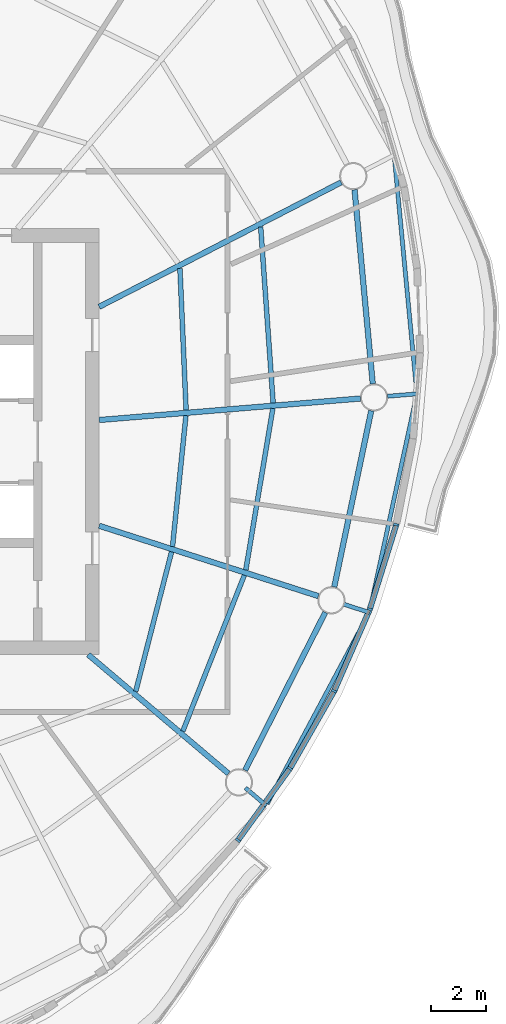
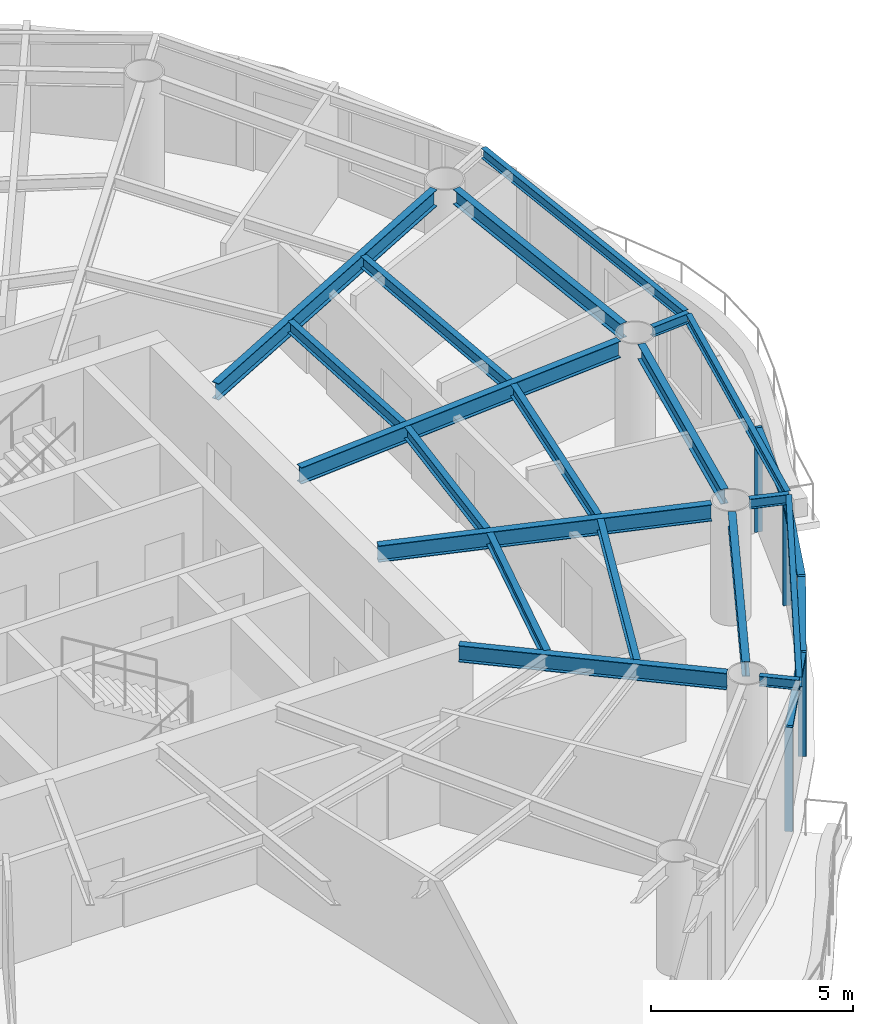
# One storey, part 4 of 13: 19 beams, 9 members, 4 elements without a shape of their own.
"""IFC4 building model written with IfcOpenShell, lengths in metres."""

from ifc_helpers import new_model, si_unit, direction, frame, origin, origin_2d, place, context, subcontext, project, spatial, rectangle, i_section, extrude, material, material_profile, profile_set, type_object, element, aggregate, save


model = new_model("IFC4")

# Units and contexts
model_context = context("Model", 3, precision=1e-05, world=origin(), true_north=direction((0.0, 1.0)))
body_context = subcontext(model_context, "Body", "Model", "MODEL_VIEW")
ifc_project = project(units=[si_unit("LENGTHUNIT", "METRE"), si_unit("AREAUNIT", "SQUARE_METRE"), si_unit("VOLUMEUNIT", "CUBIC_METRE"), si_unit("PLANEANGLEUNIT", "RADIAN"), si_unit("MASSUNIT", "GRAM", prefix="KILO")], contexts=[model_context])

# Site, building, storey
site_placement = place(None, origin())
site = spatial("IfcSite", under=ifc_project, at=site_placement, CompositionType="ELEMENT")
building_placement = place(site_placement, origin())
building = spatial("IfcBuilding", under=site, at=building_placement, Name="Vermilion Reach Broadcast Tower", CompositionType="ELEMENT")
storey_placement = place(building_placement, frame((0.0, 0.0, 286.5)))
storey = spatial("IfcBuildingStorey", under=building, at=storey_placement, Name="L71", CompositionType="ELEMENT", Elevation=286.5)

# Beams
ifc_material_1 = material(Name="Steel S355J2", Category="steel")
ifc_material_profile_1 = material_profile(ifc_material_1, i_section(OverallWidth=0.14990234375, OverallDepth=0.300048828125, WebThickness=0.006591796875, FlangeThickness=0.009033203125, at=origin_2d()), Name="S355J2 HN 300x150x6.5x9")
ifc_profile_set_1 = profile_set([ifc_material_profile_1], Name="Steel S355J2")
beam_type_1 = type_object("IfcBeamType", Name="EB5 HN 300x150x6.5x9", PredefinedType="BEAM", material=ifc_profile_set_1)
beam_1_placement = place(storey_placement, frame((9.7548828125, -13.258056640625, 3.300048828125), z_axis=(0.471195709216, 0.882028686391, 0.0), x_axis=(-0.882028686391, 0.471195709216, 0.0)))
element("IfcBeam", 1, at=beam_1_placement, inside=storey, type_object=beam_type_1, Name="Edge beam EB5-12", PredefinedType="BEAM", context=body_context, shape_type="SweptSolid", body=[
    extrude(i_section(OverallWidth=0.14990234375, OverallDepth=0.300048828125, WebThickness=0.006591796875, FlangeThickness=0.009033203125, at=origin_2d()), origin(), (0.0, 0.0, 1.0), 7.862548828125),
])
beam_2_placement = place(storey_placement, frame((13.51171875, -6.18212890625, 3.300048828125), z_axis=(0.21241325285, 0.977179927144, 0.0), x_axis=(-0.977179927144, 0.21241325285, 0.0)))
element("IfcBeam", 2, at=beam_2_placement, inside=storey, type_object=beam_type_1, Name="Edge beam EB5-13", PredefinedType="BEAM", context=body_context, shape_type="SweptSolid", body=[
    extrude(i_section(OverallWidth=0.14990234375, OverallDepth=0.300048828125, WebThickness=0.006591796875, FlangeThickness=0.009033203125, at=origin_2d()), origin(), (0.0, 0.0, 1.0), 8.03857421875),
])
beam_3_placement = place(storey_placement, frame((15.228759765625, 1.82421875, 3.300048828125), z_axis=(-0.094917299259, 0.995485161266, 0.0), x_axis=(-0.995485161266, -0.094917299259, 0.0)))
element("IfcBeam", 3, at=beam_3_placement, inside=storey, type_object=beam_type_1, Name="Edge beam EB5-14", PredefinedType="BEAM", context=body_context, shape_type="SweptSolid", body=[
    extrude(i_section(OverallWidth=0.14990234375, OverallDepth=0.300048828125, WebThickness=0.006591796875, FlangeThickness=0.009033203125, at=origin_2d()), origin(), (0.0, 0.0, 1.0), 8.624267578125),
])
ifc_material_2 = material(Name="Steel S355J2", Category="steel")
ifc_material_profile_2 = material_profile(ifc_material_2, i_section(OverallWidth=0.199951171875, OverallDepth=0.5, WebThickness=0.010009765625, FlangeThickness=0.01611328125, at=origin_2d()), Name="S355J2 HN 500x200x10x16")
ifc_profile_set_2 = profile_set([ifc_material_profile_2], Name="Steel S355J2")
beam_type_2 = type_object("IfcBeamType", Name="G5 HN 500x200x10x16", PredefinedType="BEAM", material=ifc_profile_set_2)
beam_4_placement = place(storey_placement, frame((3.20068359375, -7.800048828125, 3.199951171875), z_axis=(0.762793125612, -0.646642596431, 0.0), x_axis=(0.646642596431, 0.762793125612, 0.0)))
element("IfcBeam", 4, at=beam_4_placement, inside=storey, type_object=beam_type_2, Name="Girder G5-12", PredefinedType="BEAM", context=body_context, shape_type="SweptSolid", body=[
    extrude(i_section(OverallWidth=0.199951171875, OverallDepth=0.5, WebThickness=0.010009765625, FlangeThickness=0.01611328125, at=origin_2d()), origin(), (0.0, 0.0, 1.0), 6.732421875),
])
beam_5_placement = place(storey_placement, frame((3.60009765625, -3.080322265625, 3.199951171875), z_axis=(0.952178453449, -0.305542456604, 0.0), x_axis=(0.305542456604, 0.952178453449, 0.0)))
element("IfcBeam", 5, at=beam_5_placement, inside=storey, type_object=beam_type_2, Name="Girder G5-13", PredefinedType="BEAM", context=body_context, shape_type="SweptSolid", body=[
    extrude(i_section(OverallWidth=0.199951171875, OverallDepth=0.5, WebThickness=0.010009765625, FlangeThickness=0.01611328125, at=origin_2d()), origin(), (0.0, 0.0, 1.0), 8.43310546875),
])
beam_6_placement = place(storey_placement, frame((3.60009765625, 0.791015625, 3.199951171875), z_axis=(0.996624410075, 0.082096195058, 0.0), x_axis=(-0.082096195058, 0.996624410075, 0.0)))
element("IfcBeam", 6, at=beam_6_placement, inside=storey, type_object=beam_type_2, Name="Girder G5-14", PredefinedType="BEAM", context=body_context, shape_type="SweptSolid", body=[
    extrude(i_section(OverallWidth=0.199951171875, OverallDepth=0.5, WebThickness=0.010009765625, FlangeThickness=0.01611328125, at=origin_2d()), origin(), (0.0, 0.0, 1.0), 9.599609375),
])
beam_7_placement = place(storey_placement, frame((3.60009765625, 4.935791015625, 3.199951171875), z_axis=(0.889332502449, 0.457261085254, 0.0), x_axis=(-0.457261085254, 0.889332502449, 0.0)))
element("IfcBeam", 7, at=beam_7_placement, inside=storey, type_object=beam_type_2, Name="Girder G5-15", PredefinedType="BEAM", context=body_context, shape_type="SweptSolid", body=[
    extrude(i_section(OverallWidth=0.199951171875, OverallDepth=0.5, WebThickness=0.010009765625, FlangeThickness=0.01611328125, at=origin_2d()), origin(), (0.0, 0.0, 1.0), 9.96337890625),
])
ifc_material_3 = material(Name="Steel S355J2", Category="steel")
ifc_material_profile_3 = material_profile(ifc_material_3, i_section(OverallWidth=0.14990234375, OverallDepth=0.300048828125, WebThickness=0.006591796875, FlangeThickness=0.009033203125, at=origin_2d()), Name="S355J2 HN 300x150x6.5x9")
ifc_profile_set_3 = profile_set([ifc_material_profile_3], Name="Steel S355J2")
beam_type_3 = type_object("IfcBeamType", Name="GS5 HN 300x150x6.5x9", PredefinedType="BEAM", material=ifc_profile_set_3)
beam_8_placement = place(storey_placement, frame((8.9560546875, -12.67919921875, 3.300048828125), z_axis=(0.762709837443, -0.64674083207, 0.0), x_axis=(0.64674083207, 0.762709837443, 0.0)))
element("IfcBeam", 8, at=beam_8_placement, inside=storey, type_object=beam_type_3, Name="Cantilever stub GS5-12", PredefinedType="BEAM", context=body_context, shape_type="SweptSolid", body=[
    extrude(i_section(OverallWidth=0.14990234375, OverallDepth=0.300048828125, WebThickness=0.006591796875, FlangeThickness=0.009033203125, at=origin_2d()), origin(), (0.0, 0.0, 1.0), 1.0),
])
beam_9_placement = place(storey_placement, frame((12.54345703125, -5.9501953125, 3.300048828125), z_axis=(0.952234067416, -0.305369089551, 0.0), x_axis=(0.305369089551, 0.952234067416, 0.0)))
element("IfcBeam", 9, at=beam_9_placement, inside=storey, type_object=beam_type_3, Name="Cantilever stub GS5-13", PredefinedType="BEAM", context=body_context, shape_type="SweptSolid", body=[
    extrude(i_section(OverallWidth=0.14990234375, OverallDepth=0.300048828125, WebThickness=0.006591796875, FlangeThickness=0.009033203125, at=origin_2d()), origin(), (0.0, 0.0, 1.0), 1.000244140625),
])
beam_10_placement = place(storey_placement, frame((14.1640625, 1.661376953125, 3.300048828125), z_axis=(0.996617403603, 0.082181207313, 0.0), x_axis=(-0.082181207313, 0.996617403603, 0.0)))
element("IfcBeam", 10, at=beam_10_placement, inside=storey, type_object=beam_type_3, Name="Cantilever stub GS5-14", PredefinedType="BEAM", context=body_context, shape_type="SweptSolid", body=[
    extrude(i_section(OverallWidth=0.14990234375, OverallDepth=0.300048828125, WebThickness=0.006591796875, FlangeThickness=0.009033203125, at=origin_2d()), origin(), (0.0, 0.0, 1.0), 1.075439453125),
])
ifc_material_4 = material(Name="Steel S355J2", Category="steel")
ifc_material_profile_4 = material_profile(ifc_material_4, i_section(OverallWidth=0.199951171875, OverallDepth=0.449951171875, WebThickness=0.009033203125, FlangeThickness=0.013916015625, at=origin_2d()), Name="S355J2 HN 450x200x9x14")
ifc_profile_set_4 = profile_set([ifc_material_profile_4], Name="Steel S355J2")
beam_type_4 = type_object("IfcBeamType", Name="RB5 HN 450x200x9x14", PredefinedType="BEAM", material=ifc_profile_set_4)
beam_11_placement = place(storey_placement, frame((8.944091796875, -12.03125, 3.22509765625), z_axis=(0.453052302855, 0.891483937532, 0.0), x_axis=(-0.891483937532, 0.453052302855, 0.0)))
element("IfcBeam", 11, at=beam_11_placement, inside=storey, type_object=beam_type_4, Name="Ring beam RB5-12", PredefinedType="BEAM", context=body_context, shape_type="SweptSolid", body=[
    extrude(i_section(OverallWidth=0.199951171875, OverallDepth=0.449951171875, WebThickness=0.009033203125, FlangeThickness=0.013916015625, at=origin_2d()), origin(), (0.0, 0.0, 1.0), 6.47900390625),
])
beam_12_placement = place(storey_placement, frame((12.208740234375, -5.3203125, 3.22509765625), z_axis=(0.205444869285, 0.978668690459, 0.0), x_axis=(-0.978668690459, 0.205444869285, 0.0)))
element("IfcBeam", 12, at=beam_12_placement, inside=storey, type_object=beam_type_4, Name="Ring beam RB5-13", PredefinedType="BEAM", context=body_context, shape_type="SweptSolid", body=[
    extrude(i_section(OverallWidth=0.199951171875, OverallDepth=0.449951171875, WebThickness=0.009033203125, FlangeThickness=0.013916015625, at=origin_2d()), origin(), (0.0, 0.0, 1.0), 6.591796875),
])
beam_13_placement = place(storey_placement, frame((13.618896484375, 2.1181640625, 3.22509765625), z_axis=(-0.093441399272, 0.995624781181, 0.0), x_axis=(-0.995624781181, -0.093441399272, 0.0)))
element("IfcBeam", 13, at=beam_13_placement, inside=storey, type_object=beam_type_4, Name="Ring beam RB5-14", PredefinedType="BEAM", context=body_context, shape_type="SweptSolid", body=[
    extrude(i_section(OverallWidth=0.199951171875, OverallDepth=0.449951171875, WebThickness=0.009033203125, FlangeThickness=0.013916015625, at=origin_2d()), origin(), (0.0, 0.0, 1.0), 7.135498046875),
])
ifc_material_5 = material(Name="Steel S355J2", Category="steel")
ifc_material_profile_5 = material_profile(ifc_material_5, i_section(OverallWidth=0.175048828125, OverallDepth=0.35009765625, WebThickness=0.007080078125, FlangeThickness=0.010986328125, at=origin_2d()), Name="S355J2 HN 350x175x7x11")
ifc_profile_set_5 = profile_set([ifc_material_profile_5], Name="Steel S355J2")
beam_type_5 = type_object("IfcBeamType", Name="SB5 HN 350x175x7x11", PredefinedType="BEAM", material=ifc_profile_set_5)
beam_14_placement = place(storey_placement, frame((4.940185546875, -9.1435546875, 3.27490234375), z_axis=(0.248729575729, 0.968572969971, 0.0), x_axis=(-0.968572969971, 0.248729575729, 0.0)))
element("IfcBeam", 14, at=beam_14_placement, inside=storey, type_object=beam_type_5, Name="Secondary beam SB5-12-1", PredefinedType="BEAM", context=body_context, shape_type="SweptSolid", body=[
    extrude(i_section(OverallWidth=0.175048828125, OverallDepth=0.35009765625, WebThickness=0.007080078125, FlangeThickness=0.010986328125, at=origin_2d()), origin(), (0.0, 0.0, 1.0), 5.27294921875),
])
beam_15_placement = place(storey_placement, frame((6.6630859375, -10.604248046875, 3.27490234375), z_axis=(0.366931189603, 0.930248086317, 0.0), x_axis=(-0.930248086317, 0.366931189603, 0.0)))
element("IfcBeam", 15, at=beam_15_placement, inside=storey, type_object=beam_type_5, Name="Secondary beam SB5-12-2", PredefinedType="BEAM", context=body_context, shape_type="SweptSolid", body=[
    extrude(i_section(OverallWidth=0.175048828125, OverallDepth=0.35009765625, WebThickness=0.007080078125, FlangeThickness=0.010986328125, at=origin_2d()), origin(), (0.0, 0.0, 1.0), 6.141357421875),
])
beam_16_placement = place(storey_placement, frame((6.287109375, -3.837646484375, 3.27490234375), z_axis=(0.102113775264, 0.994772726255, 0.0), x_axis=(-0.994772726255, 0.102113775264, 0.0)))
element("IfcBeam", 16, at=beam_16_placement, inside=storey, type_object=beam_type_5, Name="Secondary beam SB5-13-1", PredefinedType="BEAM", context=body_context, shape_type="SweptSolid", body=[
    extrude(i_section(OverallWidth=0.175048828125, OverallDepth=0.35009765625, WebThickness=0.007080078125, FlangeThickness=0.010986328125, at=origin_2d()), origin(), (0.0, 0.0, 1.0), 4.815185546875),
])
beam_17_placement = place(storey_placement, frame((8.969970703125, -4.698486328125, 3.27490234375), z_axis=(0.16532337011, 0.986239414795, 0.0), x_axis=(-0.986239414795, 0.16532337011, 0.0)))
element("IfcBeam", 17, at=beam_17_placement, inside=storey, type_object=beam_type_5, Name="Secondary beam SB5-13-2", PredefinedType="BEAM", context=body_context, shape_type="SweptSolid", body=[
    extrude(i_section(OverallWidth=0.175048828125, OverallDepth=0.35009765625, WebThickness=0.007080078125, FlangeThickness=0.010986328125, at=origin_2d()), origin(), (0.0, 0.0, 1.0), 5.99560546875),
])
beam_18_placement = place(storey_placement, frame((6.78466796875, 1.153564453125, 3.27490234375), z_axis=(-0.043557530017, 0.999050920413, 0.0), x_axis=(-0.999050920413, -0.043557530017, 0.0)))
element("IfcBeam", 18, at=beam_18_placement, inside=storey, type_object=beam_type_5, Name="Secondary beam SB5-14-1", PredefinedType="BEAM", context=body_context, shape_type="SweptSolid", body=[
    extrude(i_section(OverallWidth=0.175048828125, OverallDepth=0.35009765625, WebThickness=0.007080078125, FlangeThickness=0.010986328125, at=origin_2d()), origin(), (0.0, 0.0, 1.0), 5.19580078125),
])
beam_19_placement = place(storey_placement, frame((9.97119140625, 1.416259765625, 3.27490234375), z_axis=(-0.070586780458, 0.997505642302, 0.0), x_axis=(-0.997505642302, -0.070586780458, 0.0)))
element("IfcBeam", 19, at=beam_19_placement, inside=storey, type_object=beam_type_5, Name="Secondary beam SB5-14-2", PredefinedType="BEAM", context=body_context, shape_type="SweptSolid", body=[
    extrude(i_section(OverallWidth=0.175048828125, OverallDepth=0.35009765625, WebThickness=0.007080078125, FlangeThickness=0.010986328125, at=origin_2d()), origin(), (0.0, 0.0, 1.0), 6.46435546875),
])

# Curtain wall, member
ifc_material_6 = material(Name="Low-e laminated clear glass in aluminium frame", Category="aluminium")
curtain_wall_type = type_object("IfcCurtainWallType", Name="Slot curtain wall", PredefinedType="NOTDEFINED", material=ifc_material_6)
placement = place(storey_placement, origin())
curtain_wall_1 = element("IfcCurtainWall", 20, at=placement, inside=storey, type_object=curtain_wall_type, Name="Slot curtain wall L71 34", PredefinedType="NOTDEFINED")
ifc_material_7 = material(Name="Anodised aluminium", Category="aluminium")
ifc_material_profile_6 = material_profile(ifc_material_7, rectangle(XDim=0.199951171875, YDim=0.080078125, at=origin_2d()), Name="Slot mullion 80 x 200")
ifc_profile_set_6 = profile_set([ifc_material_profile_6], Name="Anodised aluminium")
member_type_1 = type_object("IfcMemberType", Name="Slot mullion 80 x 200", PredefinedType="MULLION", material=ifc_profile_set_6)
member_1_placement = place(storey_placement, frame((8.68359375, -14.5966796875, 0.0), z_axis=(0.0, 0.0, 1.0), x_axis=(-0.776695686452, 0.629876027999, 0.0)))
member_1 = element("IfcMember", 21, at=member_1_placement, type_object=member_type_1, Name="Slot mullion L71 34", PredefinedType="MULLION", context=body_context, shape_type="SweptSolid", body=[
    extrude(rectangle(XDim=0.199951171875, YDim=0.080078125, at=origin_2d()), origin(), (0.0, 0.0, 1.0), 3.14990234375),
])

curtain_wall_2 = element("IfcCurtainWall", 22, at=placement, inside=storey, type_object=curtain_wall_type, Name="Slot curtain wall L71 35", PredefinedType="NOTDEFINED")
member_2_placement = place(storey_placement, frame((10.586669921875, -11.967529296875, 0.0), z_axis=(0.0, 0.0, 1.0), x_axis=(-0.84051062478, 0.541795062391, 0.0)))
member_2 = element("IfcMember", 23, at=member_2_placement, type_object=member_type_1, Name="Slot mullion L71 35", PredefinedType="MULLION", context=body_context, shape_type="SweptSolid", body=[
    extrude(rectangle(XDim=0.199951171875, YDim=0.080078125, at=origin_2d()), origin(), (0.0, 0.0, 1.0), 3.14990234375),
])

curtain_wall_3 = element("IfcCurtainWall", 24, at=placement, inside=storey, type_object=curtain_wall_type, Name="Slot curtain wall L71 36", PredefinedType="NOTDEFINED")
member_3_placement = place(storey_placement, frame((12.204833984375, -9.13232421875, 0.0), z_axis=(0.0, 0.0, 1.0), x_axis=(-0.893841418626, 0.448383227104, 0.0)))
member_3 = element("IfcMember", 25, at=member_3_placement, type_object=member_type_1, Name="Slot mullion L71 36", PredefinedType="MULLION", context=body_context, shape_type="SweptSolid", body=[
    extrude(rectangle(XDim=0.199951171875, YDim=0.080078125, at=origin_2d()), origin(), (0.0, 0.0, 1.0), 3.14990234375),
])

# Curtain wall, members
curtain_wall_4 = element("IfcCurtainWall", 26, at=placement, inside=storey, type_object=curtain_wall_type, Name="Slot curtain wall L71 37", PredefinedType="NOTDEFINED")
member_4_placement = place(storey_placement, frame((13.510009765625, -6.139892578125, 0.0), z_axis=(0.0, 0.0, 1.0), x_axis=(-0.936830533006, 0.349783579415, 0.0)))
member_4 = element("IfcMember", 27, at=member_4_placement, type_object=member_type_1, Name="Slot mullion L71 37", PredefinedType="MULLION", context=body_context, shape_type="SweptSolid", body=[
    extrude(rectangle(XDim=0.199951171875, YDim=0.080078125, at=origin_2d()), origin(), (0.0, 0.0, 1.0), 3.14990234375),
])
member_5_placement = place(storey_placement, frame((14.479736328125, -3.04248046875, 0.0), z_axis=(0.0, 0.0, 1.0), x_axis=(-0.969278075736, 0.245967501709, 0.0)))
member_5 = element("IfcMember", 28, at=member_5_placement, type_object=member_type_1, Name="Slot mullion L71 38", PredefinedType="MULLION", context=body_context, shape_type="SweptSolid", body=[
    extrude(rectangle(XDim=0.199951171875, YDim=0.080078125, at=origin_2d()), origin(), (0.0, 0.0, 1.0), 3.14990234375),
])

# Member
ifc_material_8 = material(Name="Anodised aluminium", Category="aluminium")
ifc_material_profile_7 = material_profile(ifc_material_8, rectangle(XDim=0.199951171875, YDim=0.10009765625, at=origin_2d()), Name="Slot transom 200 x 100")
ifc_profile_set_7 = profile_set([ifc_material_profile_7], Name="Anodised aluminium")
member_type_2 = type_object("IfcMemberType", Name="Slot transom 200 x 100", PredefinedType="USERDEFINED", material=ifc_profile_set_7)
member_6_placement = place(storey_placement, frame((8.70703125, -14.564208984375, 3.10009765625), z_axis=(0.586340581308, 0.81006464107, 0.0), x_axis=(-0.81006464107, 0.586340581308, 0.0)))
member_6 = element("IfcMember", 29, at=member_6_placement, type_object=member_type_2, Name="Slot transom L71 34.1", ObjectType="TRANSOM", PredefinedType="USERDEFINED", context=body_context, shape_type="SweptSolid", body=[
    extrude(rectangle(XDim=0.199951171875, YDim=0.10009765625, at=origin_2d()), origin(), (0.0, 0.0, 1.0), 3.165771484375),
])

aggregate(curtain_wall_1, [member_1, member_6])

member_7_placement = place(storey_placement, frame((10.6064453125, -11.9326171875, 3.10009765625), z_axis=(0.495726062267, 0.868478941132, 0.0), x_axis=(-0.868478941132, 0.495726062267, 0.0)))
member_7 = element("IfcMember", 30, at=member_7_placement, type_object=member_type_2, Name="Slot transom L71 35.1", ObjectType="TRANSOM", PredefinedType="USERDEFINED", context=body_context, shape_type="SweptSolid", body=[
    extrude(rectangle(XDim=0.199951171875, YDim=0.10009765625, at=origin_2d()), origin(), (0.0, 0.0, 1.0), 3.184326171875),
])

aggregate(curtain_wall_2, [member_2, member_7])

member_8_placement = place(storey_placement, frame((12.220947265625, -9.095458984375, 3.10009765625), z_axis=(0.399768790366, 0.916616012433, 0.0), x_axis=(-0.916616012433, 0.399768790366, 0.0)))
member_8 = element("IfcMember", 31, at=member_8_placement, type_object=member_type_2, Name="Slot transom L71 36.1", ObjectType="TRANSOM", PredefinedType="USERDEFINED", context=body_context, shape_type="SweptSolid", body=[
    extrude(rectangle(XDim=0.199951171875, YDim=0.10009765625, at=origin_2d()), origin(), (0.0, 0.0, 1.0), 3.184326171875),
])

aggregate(curtain_wall_3, [member_3, member_8])

member_9_placement = place(storey_placement, frame((13.52197265625, -6.101806640625, 3.10009765625), z_axis=(0.298753578741, 0.954330288312, 0.0), x_axis=(-0.954330288312, 0.298753578741, 0.0)))
member_9 = element("IfcMember", 32, at=member_9_placement, type_object=member_type_2, Name="Slot transom L71 37.1", ObjectType="TRANSOM", PredefinedType="USERDEFINED", context=body_context, shape_type="SweptSolid", body=[
    extrude(rectangle(XDim=0.199951171875, YDim=0.10009765625, at=origin_2d()), origin(), (0.0, 0.0, 1.0), 3.165771484375),
])

aggregate(curtain_wall_4, [member_4, member_5, member_9])

save(model, "model.ifc")
